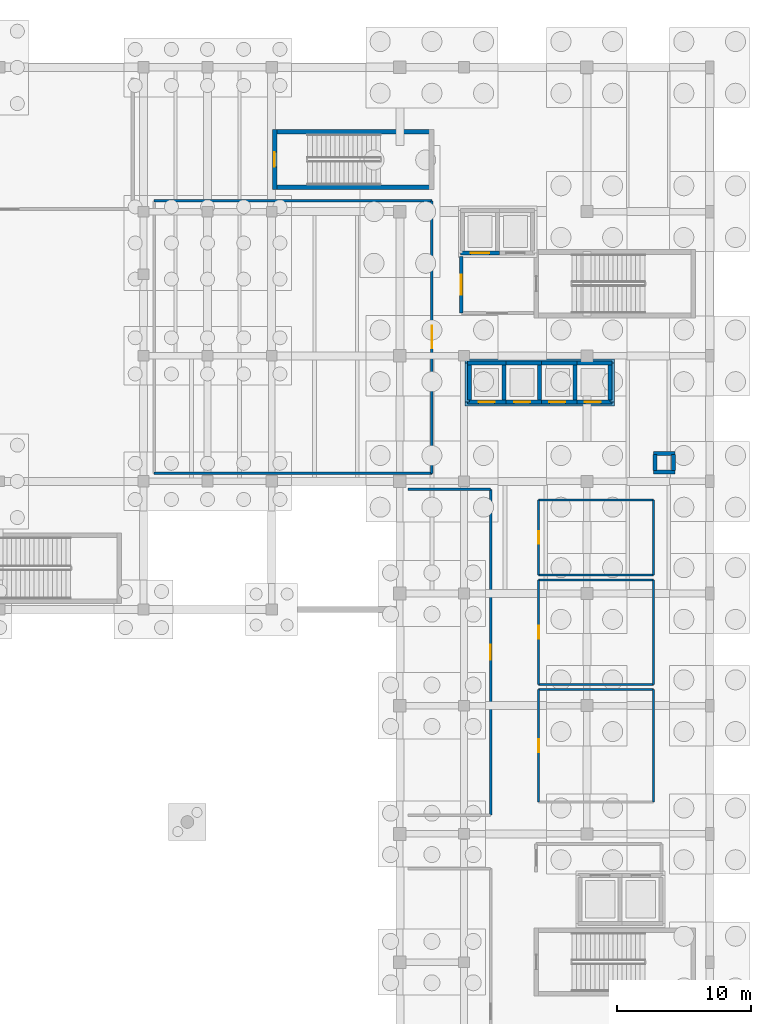
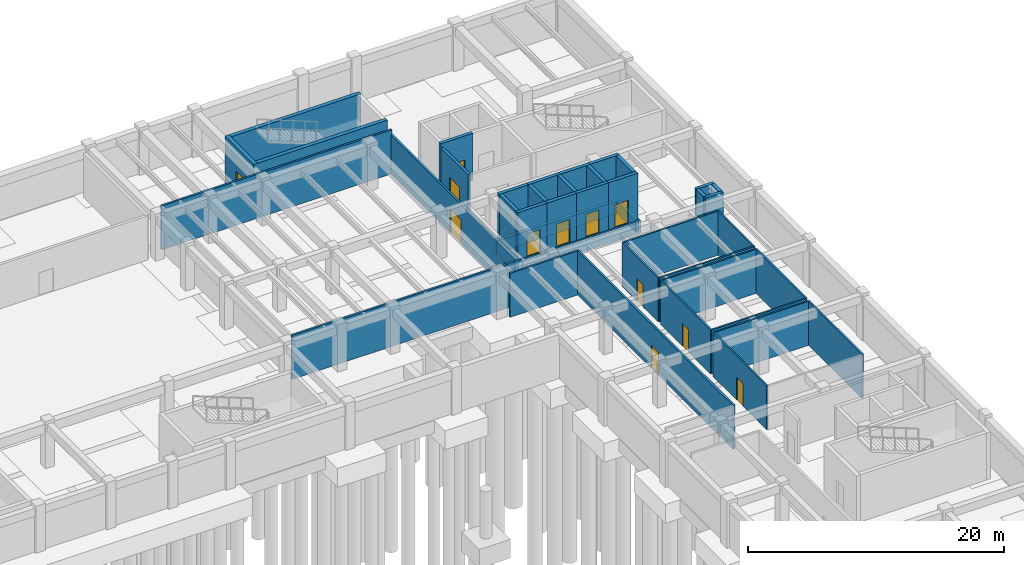
# One storey, part 21 of 33: 42 walls, 12 doors, 12 openings.
"""IFC4 building model written with IfcOpenShell, lengths in metres."""

import ifcopenshell
import ifcopenshell.guid

model = None  # the IFC model being written
_history = None  # IfcOwnerHistory: only IFC2X3 demands one
_inside = {}  # id of a spatial element -> (the spatial element, [elements in it])
_under = {}  # id of a project, library or spatial element -> (it, [spatial elements below it])
_declared = {}  # id of a project -> (the project, [libraries it declares])
_typed = {}  # id of a type object -> (the type object, [elements of that type])
_made_of = {}  # id of a material, layer set ... -> (it, [elements and type objects made of it])


def new_model(schema):
    """Start an empty IFC model of exactly this schema.

    Asked for "IFC4X3", IfcOpenShell would pick the latest addendum, in which some entities
    have other attributes; the version numbers below select the first issue.
    IFC2X3 requires an IfcOwnerHistory on every rooted entity: one is made here for all.
    """
    global model, _history
    if schema == "IFC4X3":
        model = ifcopenshell.file(schema_version=(4, 3, 0, 0))
    else:
        model = ifcopenshell.file(schema=schema)
    _inside.clear()
    _under.clear()
    _declared.clear()
    _typed.clear()
    _made_of.clear()
    _history = None
    if model.schema == "IFC2X3":
        org = make("IfcOrganization", Name="unknown")
        user = make(
            "IfcPersonAndOrganization",
            ThePerson=make("IfcPerson", FamilyName="unknown"),
            TheOrganization=org,
        )
        app = make(
            "IfcApplication",
            ApplicationDeveloper=org,
            Version="unknown",
            ApplicationFullName="unknown",
            ApplicationIdentifier="unknown",
        )
        _history = make(
            "IfcOwnerHistory",
            OwningUser=user,
            OwningApplication=app,
            ChangeAction="ADDED",
            CreationDate=0,
        )
    return model


def make(cls, **values):
    """One entity of the class cls with the attributes given. An attribute that is None is left unset."""
    return model.create_entity(
        cls, **{name: value for name, value in values.items() if value is not None}
    )


def rooted(cls, **values):
    """An entity with a GlobalId (a new one), such as an element, a storey or a relation."""
    return make(cls, GlobalId=ifcopenshell.guid.new(), OwnerHistory=_history, **values)


def si_unit(unit_type, name, prefix=None):
    """IfcSIUnit, for example si_unit("LENGTHUNIT", "METRE", prefix="MILLI")."""
    return make("IfcSIUnit", UnitType=unit_type, Prefix=prefix, Name=name)


def assignment(units):
    """IfcUnitAssignment: the units of a project."""
    return None if units is None else make("IfcUnitAssignment", Units=units)


def point(xyz):
    """IfcCartesianPoint."""
    return None if xyz is None else make("IfcCartesianPoint", Coordinates=xyz)


def direction(xyz):
    """IfcDirection."""
    return None if xyz is None else make("IfcDirection", DirectionRatios=xyz)


def frame(location, z_axis=None, x_axis=None):
    """IfcAxis2Placement3D, a coordinate frame: its origin and axes. An axis left out is left unset."""
    return make(
        "IfcAxis2Placement3D",
        Location=point(location),
        Axis=direction(z_axis),
        RefDirection=direction(x_axis),
    )


def frame_2d(location, x_axis=None):
    """IfcAxis2Placement2D, a coordinate frame in the plane: its origin and x axis."""
    return make(
        "IfcAxis2Placement2D", Location=point(location), RefDirection=direction(x_axis)
    )


def origin():
    """The frame at (0, 0, 0) with its axes left unset."""
    return frame((0.0, 0.0, 0.0))


def place(relative_to, where):
    """IfcLocalPlacement: puts the frame where relative to a parent placement (None: the world)."""
    return make(
        "IfcLocalPlacement", PlacementRelTo=relative_to, RelativePlacement=where
    )


def context(
    kind, dimensions, precision=None, world=None, true_north=None, identifier=None
):
    """IfcGeometricRepresentationContext, for example the 3D "Model" context."""
    return make(
        "IfcGeometricRepresentationContext",
        ContextIdentifier=identifier,
        ContextType=kind,
        CoordinateSpaceDimension=dimensions,
        Precision=precision,
        WorldCoordinateSystem=world,
        TrueNorth=true_north,
    )


def subcontext(parent, identifier, kind, view, scale=None):
    """IfcGeometricRepresentationSubContext, for example "Body" below "Model"."""
    return make(
        "IfcGeometricRepresentationSubContext",
        ContextIdentifier=identifier,
        ContextType=kind,
        ParentContext=parent,
        TargetScale=scale,
        TargetView=view,
    )


def project(units=None, contexts=None):
    """IfcProject with its units and contexts."""
    return rooted(
        "IfcProject",
        Name="project",
        RepresentationContexts=contexts,
        UnitsInContext=assignment(units),
    )


def spatial(cls, under=None, at=None, **own):
    """A site, building, storey or space (cls), placed at a placement, below another one or the project."""
    s = rooted(cls, ObjectPlacement=at, **own)
    if under is not None:
        _under.setdefault(under.id(), (under, []))[1].append(s)
    return s


def profile(cls, at=None, kind="AREA", **sizes):
    """A parametric profile (cls). Its sizes go by their IFC names, for example OverallWidth=200.0."""
    return make(cls, ProfileType=kind, Position=at, **sizes)


def rectangle(**sizes):
    """IfcRectangleProfileDef."""
    return profile("IfcRectangleProfileDef", **sizes)


def extrude(swept, where, along, depth):
    """IfcExtrudedAreaSolid: the profile swept, set in the frame where, extruded along a direction by depth."""
    return make(
        "IfcExtrudedAreaSolid",
        SweptArea=swept,
        Position=where,
        ExtrudedDirection=direction(along),
        Depth=depth,
    )


def shape(context_of_items, identifier, shape_type, items):
    """IfcShapeRepresentation: the items that make up one representation, for example the "Body"."""
    return make(
        "IfcShapeRepresentation",
        ContextOfItems=context_of_items,
        RepresentationIdentifier=identifier,
        RepresentationType=shape_type,
        Items=items,
    )


def material(Name=None, Category=None):
    """IfcMaterial."""
    return make("IfcMaterial", Name=Name, Category=Category)


def layer(
    of_material, thickness, ventilated=None, Name=None, Category=None, Priority=None
):
    """IfcMaterialLayer: one layer of a wall or slab, of a material (None: an air gap)."""
    return make(
        "IfcMaterialLayer",
        Material=of_material,
        LayerThickness=thickness,
        IsVentilated=ventilated,
        Name=Name,
        Category=Category,
        Priority=Priority,
    )


def layer_set(layers, Name=None):
    """IfcMaterialLayerSet."""
    return make("IfcMaterialLayerSet", MaterialLayers=layers, LayerSetName=Name)


def made_of(thing, what):
    """Note that an element or type object is made of a material, layer set ...; save() writes the relation."""
    if what is not None:
        _made_of.setdefault(what.id(), (what, []))[1].append(thing)
    return thing


def type_object(cls, material=None, **own):
    """A type object (cls), such as IfcWallType, which elements share."""
    return made_of(rooted(cls, **own), material)


def element(
    cls,
    number,
    at=None,
    inside=None,
    cuts=None,
    type_object=None,
    material=None,
    context=None,
    identifier="Body",
    shape_type=None,
    held_by="IfcProductDefinitionShape",
    body=None,
    shapes=None,
    **own,
):
    """One element of the class cls, such as IfcWall. Its Tag is "e" and its number.

    at: its placement. inside: the storey or other place that contains it. cuts: it is an
    opening in that element (IfcRelVoidsElement). A single representation is given by context,
    identifier, shape_type and body (its items); several are given by shapes. held_by: the class
    of the entity that holds the representations. save() writes the other relations.
    """
    e = rooted(cls, Tag="e%d" % number, ObjectPlacement=at, **own)
    if body is not None:
        shapes = [shape(context, identifier, shape_type, body)]
    if shapes is not None:
        e.Representation = make(held_by, Representations=shapes)
    if inside is not None:
        _inside.setdefault(inside.id(), (inside, []))[1].append(e)
    if cuts is not None:
        rooted(
            "IfcRelVoidsElement", RelatingBuildingElement=cuts, RelatedOpeningElement=e
        )
    if type_object is not None:
        _typed.setdefault(type_object.id(), (type_object, []))[1].append(e)
    return made_of(e, material)


def fill(opening, filler):
    """IfcRelFillsElement: the door or window that sits in an opening."""
    return rooted(
        "IfcRelFillsElement",
        RelatingOpeningElement=opening,
        RelatedBuildingElement=filler,
    )


def aggregate(whole, parts):
    """IfcRelAggregates: a whole, such as a stair, and the parts it consists of."""
    return rooted("IfcRelAggregates", RelatingObject=whole, RelatedObjects=parts)


def save(model, path):
    """Write the relations noted so far, then the file.

    IfcRelAggregates (storeys below a building ...), IfcRelContainedInSpatialStructure (elements
    in a storey), IfcRelDefinesByType, IfcRelAssociatesMaterial and IfcRelDeclares: one each for
    every whole, place, type object, material and project.
    """
    for whole, parts in _under.values():
        aggregate(whole, parts)
    for where, things in _inside.values():
        rooted(
            "IfcRelContainedInSpatialStructure",
            RelatedElements=things,
            RelatingStructure=where,
        )
    for kind, things in _typed.values():
        rooted("IfcRelDefinesByType", RelatedObjects=things, RelatingType=kind)
    for what, things in _made_of.values():
        rooted("IfcRelAssociatesMaterial", RelatedObjects=things, RelatingMaterial=what)
    for by, libraries in _declared.values():
        rooted("IfcRelDeclares", RelatingContext=by, RelatedDefinitions=libraries)
    model.write(path)


model = new_model("IFC4")

# Units and contexts
model_context = context("Model", 3, precision=1e-05, world=origin(), true_north=direction((0.0, 1.0)))
body_context = subcontext(model_context, "Body", "Model", "MODEL_VIEW")
ifc_project = project(units=[si_unit("LENGTHUNIT", "METRE"), si_unit("AREAUNIT", "SQUARE_METRE"), si_unit("VOLUMEUNIT", "CUBIC_METRE"), si_unit("PLANEANGLEUNIT", "RADIAN"), si_unit("MASSUNIT", "GRAM", prefix="KILO")], contexts=[model_context])

# Site, building, storey
site_placement = place(None, origin())
site = spatial("IfcSite", under=ifc_project, at=site_placement, CompositionType="ELEMENT")
building_placement = place(site_placement, origin())
building = spatial("IfcBuilding", under=site, at=building_placement, Name="Veldera Park Congress Hotel", CompositionType="ELEMENT")
storey_placement = place(building_placement, frame((0.0, 0.0, -4.5)))
storey = spatial("IfcBuildingStorey", under=building, at=storey_placement, Name="B1", CompositionType="ELEMENT", Elevation=-4.5)

# Wall
ifc_material_1 = material(Name="Fire-Rated Gypsum Board on Cold-Formed Steel Studs", Category="steel")
ifc_layer_1 = layer(ifc_material_1, 0.179931640625)
ifc_layer_set_1 = layer_set([ifc_layer_1], Name="Fire-Rated Gypsum Board on Cold-Formed Steel Studs")
wall_type_1 = type_object("IfcWallType", Name="IW-CORR180", PredefinedType="PARTITIONING", material=ifc_layer_set_1)
wall_1_placement = place(storey_placement, frame((42.39990234375, 27.60009765625, 0.0), z_axis=(0.0, 0.0, 1.0), x_axis=(1.0, 0.0, 0.0)))
element("IfcWall", 1, at=wall_1_placement, inside=storey, type_object=wall_type_1, Name="B1 Partition Wall IW3-B1-00018", PredefinedType="PARTITIONING", context=body_context, shape_type="SweptSolid", body=[
    extrude(rectangle(XDim=20.800048828125, YDim=0.179931640625, at=frame_2d((10.39990234375, 0.0))), origin(), (0.0, 0.0, 1.0), 4.199951171875),
])

# Wall, opening, door
wall_2_placement = place(storey_placement, frame((63.199951171875, 27.60009765625, 0.0), z_axis=(0.0, 0.0, 1.0), x_axis=(0.0, 1.0, 0.0)))
wall_2 = element("IfcWall", 2, at=wall_2_placement, inside=storey, type_object=wall_type_1, Name="B1 Partition Wall IW3-B1-00019", PredefinedType="PARTITIONING", context=body_context, shape_type="SweptSolid", body=[
    extrude(rectangle(XDim=20.39990234375, YDim=0.179931640625, at=frame_2d((10.199951171875, 0.0))), origin(), (0.0, 0.0, 1.0), 3.73193359375),
])
opening_1_placement = place(wall_2_placement, frame((9.35009765625, 0.0, 0.0)))
opening_1 = element("IfcOpeningElement", 3, at=opening_1_placement, cuts=wall_2, Name="Opening ID-HALL170", PredefinedType="OPENING", context=body_context, shape_type="SweptSolid", body=[
    extrude(rectangle(XDim=1.699951171875, YDim=2.300048828125, at=frame_2d((0.85009765625, 1.14990234375))), frame((0.0, 0.10205078125, 0.0), z_axis=(0.0, -1.0, 0.0), x_axis=(1.0, 0.0, 0.0)), (0.0, 0.0, 1.0), 0.203857421875),
])
ifc_material_2 = material(Name="Solid Core White Oak Architectural Door", Category="wood")
door_type_1 = type_object("IfcDoorType", Name="ID-HALL170", OperationType="DOUBLE_DOOR_SINGLE_SWING", PredefinedType="DOOR", material=ifc_material_2)
door_1_placement = place(opening_1_placement, origin())
door_1 = element("IfcDoor", 4, at=door_1_placement, inside=storey, type_object=door_type_1, Name="B1 Central Laundry and Uniform Services Door ID3-B1-0008 (DR3-ID3-B1-0008)", OperationType="DOUBLE_DOOR_SINGLE_SWING", OverallHeight=2.300048828125, OverallWidth=1.699951171875, PredefinedType="DOOR", context=body_context, shape_type="SweptSolid", body=[
    extrude(rectangle(XDim=1.699951171875, YDim=2.300048828125, at=frame_2d((0.85009765625, 1.14990234375))), frame((0.0, 0.02490234375, 0.0), z_axis=(0.0, -1.0, 0.0), x_axis=(1.0, 0.0, 0.0)), (0.0, 0.0, 1.0), 0.050048828125),
])
fill(opening_1, door_1)

# Wall
wall_3_placement = place(storey_placement, frame((63.199951171875, 48.0, 0.0), z_axis=(0.0, 0.0, 1.0), x_axis=(-1.0, 0.0, 0.0)))
element("IfcWall", 5, at=wall_3_placement, inside=storey, type_object=wall_type_1, Name="B1 Partition Wall IW3-B1-00020", PredefinedType="PARTITIONING", context=body_context, shape_type="SweptSolid", body=[
    extrude(rectangle(XDim=20.800048828125, YDim=0.179931640625, at=frame_2d((10.39990234375, 0.0))), origin(), (0.0, 0.0, 1.0), 4.199951171875),
])

# Wall, opening, door
wall_4_placement = place(storey_placement, frame((67.60009765625, 2.0, 0.0), z_axis=(0.0, 0.0, 1.0), x_axis=(0.0, 1.0, 0.0)))
wall_4 = element("IfcWall", 6, at=wall_4_placement, inside=storey, type_object=wall_type_1, Name="B1 Partition Wall IW3-B1-00028", PredefinedType="PARTITIONING", context=body_context, shape_type="SweptSolid", body=[
    extrude(rectangle(XDim=24.39990234375, YDim=0.179931640625, at=frame_2d((12.199951171875, 0.0))), origin(), (0.0, 0.0, 1.0), 4.199951171875),
])
opening_2_placement = place(wall_4_placement, frame((11.625, 0.0, 0.0)))
opening_2 = element("IfcOpeningElement", 7, at=opening_2_placement, cuts=wall_4, Name="Opening ID-MEET115", PredefinedType="OPENING", context=body_context, shape_type="SweptSolid", body=[
    extrude(rectangle(XDim=1.14990234375, YDim=2.199951171875, at=frame_2d((0.574951171875, 1.10009765625))), frame((0.0, 0.10205078125, 0.0), z_axis=(0.0, -1.0, 0.0), x_axis=(1.0, 0.0, 0.0)), (0.0, 0.0, 1.0), 0.203857421875),
])
door_type_2 = type_object("IfcDoorType", Name="ID-MEET115", OperationType="NOTDEFINED", PredefinedType="DOOR", material=ifc_material_2)
door_2_placement = place(opening_2_placement, origin())
door_2 = element("IfcDoor", 8, at=door_2_placement, inside=storey, type_object=door_type_2, Name="B1 Secure Bicycle Storage and End-of-Trip Showers Door ID3-B1-0011 (DR3-ID3-B1-0011)", OperationType="SINGLE_SWING_RIGHT", OverallHeight=2.199951171875, OverallWidth=1.14990234375, PredefinedType="DOOR", context=body_context, shape_type="SweptSolid", body=[
    extrude(rectangle(XDim=1.14990234375, YDim=2.199951171875, at=frame_2d((0.574951171875, 1.10009765625))), frame((0.0, 0.02490234375, 0.0), z_axis=(0.0, -1.0, 0.0), x_axis=(1.0, 0.0, 0.0)), (0.0, 0.0, 1.0), 0.050048828125),
])
fill(opening_2, door_2)

# Wall
wall_5_placement = place(storey_placement, frame((67.60009765625, 26.39990234375, 0.0), z_axis=(0.0, 0.0, 1.0), x_axis=(-1.0, 0.0, 0.0)))
element("IfcWall", 9, at=wall_5_placement, inside=storey, type_object=wall_type_1, Name="B1 Partition Wall IW3-B1-00029", PredefinedType="PARTITIONING", context=body_context, shape_type="SweptSolid", body=[
    extrude(rectangle(XDim=6.2001953125, YDim=0.179931640625, at=frame_2d((3.10009765625, 0.0))), origin(), (0.0, 0.0, 1.0), 4.199951171875),
])

# Wall, opening, door
ifc_material_3 = material(Name="Concrete f'c 40 MPa (5,800 psi)", Category="concrete")
ifc_layer_2 = layer(ifc_material_3, 0.239990234375)
ifc_layer_set_2 = layer_set([ifc_layer_2], Name="Concrete f'c 40 MPa (5,800 psi)")
wall_type_2 = type_object("IfcWallType", Name="IW-FIRE240", PredefinedType="STANDARD", material=ifc_layer_set_2)
wall_6_placement = place(storey_placement, frame((65.39990234375, 43.85009765625, 0.0), z_axis=(0.0, 0.0, 1.0), x_axis=(0.0, -1.0, 0.0)))
wall_6 = element("IfcWall", 10, at=wall_6_placement, inside=storey, type_object=wall_type_2, Name="B1 Partition Wall IW3-B1-00002", PredefinedType="STANDARD", context=body_context, shape_type="SweptSolid", body=[
    extrude(rectangle(XDim=4.25, YDim=0.239990234375, at=frame_2d((2.125, 0.0))), origin(), (0.0, 0.0, 1.0), 4.199951171875),
])
opening_3_placement = place(wall_6_placement, frame((1.375, 0.0, 0.0)))
opening_3 = element("IfcOpeningElement", 11, at=opening_3_placement, cuts=wall_6, Name="Opening ID-LOB150", PredefinedType="OPENING", context=body_context, shape_type="SweptSolid", body=[
    extrude(rectangle(XDim=1.5, YDim=2.199951171875, at=frame_2d((0.75, 1.10009765625))), frame((0.0, 0.132080078125, 0.0), z_axis=(0.0, -1.0, 0.0), x_axis=(1.0, 0.0, 0.0)), (0.0, 0.0, 1.0), 0.263916015625),
])
ifc_material_4 = material(Name="Hollow Metal Fire-Rated Steel Door", Category="steel")
door_type_3 = type_object("IfcDoorType", Name="ID-LOB150", OperationType="DOUBLE_DOOR_SINGLE_SWING", PredefinedType="DOOR", material=ifc_material_4)
door_3_placement = place(opening_3_placement, origin())
door_3 = element("IfcDoor", 12, at=door_3_placement, inside=storey, type_object=door_type_3, Name="B1 Firefighting Lobby Door ID3-B1-0002 (DR3-ID3-B1-0002)", OperationType="DOUBLE_DOOR_SINGLE_SWING", OverallHeight=2.199951171875, OverallWidth=1.5, PredefinedType="DOOR", context=body_context, shape_type="SweptSolid", body=[
    extrude(rectangle(XDim=1.5, YDim=2.199951171875, at=frame_2d((0.75, 1.10009765625))), frame((0.0, 0.02490234375, 0.0), z_axis=(0.0, -1.0, 0.0), x_axis=(1.0, 0.0, 0.0)), (0.0, 0.0, 1.0), 0.050048828125),
])
fill(opening_3, door_3)

# Walls
ifc_layer_3 = layer(ifc_material_1, 0.14990234375)
ifc_layer_set_3 = layer_set([ifc_layer_3], Name="Fire-Rated Gypsum Board on Cold-Formed Steel Studs")
wall_type_3 = type_object("IfcWallType", Name="IW-PLMB150", PredefinedType="PLUMBINGWALL", material=ifc_layer_set_3)
wall_7_placement = place(storey_placement, frame((79.800048828125, 3.0, 0.0), z_axis=(0.0, 0.0, 1.0), x_axis=(0.0, 1.0, 0.0)))
element("IfcWall", 13, at=wall_7_placement, inside=storey, type_object=wall_type_3, Name="B1 Partition Wall IW3-B1-00031", PredefinedType="PLUMBINGWALL", context=body_context, shape_type="SweptSolid", body=[
    extrude(rectangle(XDim=8.39990234375, YDim=0.14990234375, at=frame_2d((4.199951171875, 0.0))), origin(), (0.0, 0.0, 1.0), 4.199951171875),
])
wall_8_placement = place(storey_placement, frame((79.800048828125, 11.39990234375, 0.0), z_axis=(0.0, 0.0, 1.0), x_axis=(-1.0, 0.0, 0.0)))
element("IfcWall", 14, at=wall_8_placement, inside=storey, type_object=wall_type_3, Name="B1 Partition Wall IW3-B1-00032", PredefinedType="PLUMBINGWALL", context=body_context, shape_type="SweptSolid", body=[
    extrude(rectangle(XDim=8.60009765625, YDim=0.14990234375, at=frame_2d((4.300048828125, 0.0))), origin(), (0.0, 0.0, 1.0), 4.199951171875),
])

# Wall, opening, door
wall_9_placement = place(storey_placement, frame((71.199951171875, 11.39990234375, 0.0), z_axis=(0.0, 0.0, 1.0), x_axis=(0.0, -1.0, 0.0)))
wall_9 = element("IfcWall", 15, at=wall_9_placement, inside=storey, type_object=wall_type_3, Name="B1 Partition Wall IW3-B1-00033", PredefinedType="PLUMBINGWALL", context=body_context, shape_type="SweptSolid", body=[
    extrude(rectangle(XDim=8.39990234375, YDim=0.14990234375, at=frame_2d((4.199951171875, 0.0))), origin(), (0.0, 0.0, 1.0), 4.199951171875),
])
opening_4_placement = place(wall_9_placement, frame((3.72509765625, 0.0, 0.0)))
opening_4 = element("IfcOpeningElement", 16, at=opening_4_placement, cuts=wall_9, Name="Opening ID-WC095", PredefinedType="OPENING", context=body_context, shape_type="SweptSolid", body=[
    extrude(rectangle(XDim=0.949951171875, YDim=2.14990234375, at=frame_2d((0.47509765625, 1.074951171875))), frame((0.0, 0.0869140625, 0.0), z_axis=(0.0, -1.0, 0.0), x_axis=(1.0, 0.0, 0.0)), (0.0, 0.0, 1.0), 0.173828125),
])
door_type_4 = type_object("IfcDoorType", Name="ID-WC095", OperationType="NOTDEFINED", PredefinedType="DOOR", material=ifc_material_2)
door_4_placement = place(opening_4_placement, origin())
door_4 = element("IfcDoor", 17, at=door_4_placement, inside=storey, type_object=door_type_4, Name="B1 Staff Male WC Door ID3-B1-0012 (DR3-ID3-B1-0012)", OperationType="SINGLE_SWING_LEFT", OverallHeight=2.14990234375, OverallWidth=0.949951171875, PredefinedType="DOOR", context=body_context, shape_type="SweptSolid", body=[
    extrude(rectangle(XDim=0.949951171875, YDim=2.14990234375, at=frame_2d((0.47509765625, 1.074951171875))), frame((0.0, 0.02490234375, 0.0), z_axis=(0.0, -1.0, 0.0), x_axis=(1.0, 0.0, 0.0)), (0.0, 0.0, 1.0), 0.050048828125),
])
fill(opening_4, door_4)

# Walls
wall_10_placement = place(storey_placement, frame((71.199951171875, 11.800048828125, 0.0), z_axis=(0.0, 0.0, 1.0), x_axis=(1.0, 0.0, 0.0)))
element("IfcWall", 18, at=wall_10_placement, inside=storey, type_object=wall_type_3, Name="B1 Partition Wall IW3-B1-00034", PredefinedType="PLUMBINGWALL", context=body_context, shape_type="SweptSolid", body=[
    extrude(rectangle(XDim=8.60009765625, YDim=0.14990234375, at=frame_2d((4.300048828125, 0.0))), origin(), (0.0, 0.0, 1.0), 4.199951171875),
])
wall_11_placement = place(storey_placement, frame((79.800048828125, 11.800048828125, 0.0), z_axis=(0.0, 0.0, 1.0), x_axis=(0.0, 1.0, 0.0)))
element("IfcWall", 19, at=wall_11_placement, inside=storey, type_object=wall_type_3, Name="B1 Partition Wall IW3-B1-00035", PredefinedType="PLUMBINGWALL", context=body_context, shape_type="SweptSolid", body=[
    extrude(rectangle(XDim=7.800048828125, YDim=0.14990234375, at=frame_2d((3.89990234375, 0.0))), origin(), (0.0, 0.0, 1.0), 4.199951171875),
])
wall_12_placement = place(storey_placement, frame((79.800048828125, 19.60009765625, 0.0), z_axis=(0.0, 0.0, 1.0), x_axis=(-1.0, 0.0, 0.0)))
element("IfcWall", 20, at=wall_12_placement, inside=storey, type_object=wall_type_3, Name="B1 Partition Wall IW3-B1-00036", PredefinedType="PLUMBINGWALL", context=body_context, shape_type="SweptSolid", body=[
    extrude(rectangle(XDim=8.60009765625, YDim=0.14990234375, at=frame_2d((4.300048828125, 0.0))), origin(), (0.0, 0.0, 1.0), 4.199951171875),
])

# Wall, opening, door
wall_13_placement = place(storey_placement, frame((71.199951171875, 19.60009765625, 0.0), z_axis=(0.0, 0.0, 1.0), x_axis=(0.0, -1.0, 0.0)))
wall_13 = element("IfcWall", 21, at=wall_13_placement, inside=storey, type_object=wall_type_3, Name="B1 Partition Wall IW3-B1-00037", PredefinedType="PLUMBINGWALL", context=body_context, shape_type="SweptSolid", body=[
    extrude(rectangle(XDim=7.800048828125, YDim=0.14990234375, at=frame_2d((3.89990234375, 0.0))), origin(), (0.0, 0.0, 1.0), 4.199951171875),
])
opening_5_placement = place(wall_13_placement, frame((3.425048828125, 0.0, 0.0)))
opening_5 = element("IfcOpeningElement", 22, at=opening_5_placement, cuts=wall_13, Name="Opening ID-WC095", PredefinedType="OPENING", context=body_context, shape_type="SweptSolid", body=[
    extrude(rectangle(XDim=0.949951171875, YDim=2.14990234375, at=frame_2d((0.47509765625, 1.074951171875))), frame((0.0, 0.0869140625, 0.0), z_axis=(0.0, -1.0, 0.0), x_axis=(1.0, 0.0, 0.0)), (0.0, 0.0, 1.0), 0.173828125),
])
door_5_placement = place(opening_5_placement, origin())
door_5 = element("IfcDoor", 23, at=door_5_placement, inside=storey, type_object=door_type_4, Name="B1 Staff Female WC Door ID3-B1-0013 (DR3-ID3-B1-0013)", OperationType="SINGLE_SWING_RIGHT", OverallHeight=2.14990234375, OverallWidth=0.949951171875, PredefinedType="DOOR", context=body_context, shape_type="SweptSolid", body=[
    extrude(rectangle(XDim=0.949951171875, YDim=2.14990234375, at=frame_2d((0.47509765625, 1.074951171875))), frame((0.0, 0.02490234375, 0.0), z_axis=(0.0, -1.0, 0.0), x_axis=(1.0, 0.0, 0.0)), (0.0, 0.0, 1.0), 0.050048828125),
])
fill(opening_5, door_5)

# Walls
wall_14_placement = place(storey_placement, frame((71.199951171875, 20.0, 0.0), z_axis=(0.0, 0.0, 1.0), x_axis=(1.0, 0.0, 0.0)))
element("IfcWall", 24, at=wall_14_placement, inside=storey, type_object=wall_type_3, Name="B1 Partition Wall IW3-B1-00038", PredefinedType="PLUMBINGWALL", context=body_context, shape_type="SweptSolid", body=[
    extrude(rectangle(XDim=8.60009765625, YDim=0.14990234375, at=frame_2d((4.300048828125, 0.0))), origin(), (0.0, 0.0, 1.0), 4.199951171875),
])
wall_15_placement = place(storey_placement, frame((79.800048828125, 20.0, 0.0), z_axis=(0.0, 0.0, 1.0), x_axis=(0.0, 1.0, 0.0)))
element("IfcWall", 25, at=wall_15_placement, inside=storey, type_object=wall_type_3, Name="B1 Partition Wall IW3-B1-00039", PredefinedType="PLUMBINGWALL", context=body_context, shape_type="SweptSolid", body=[
    extrude(rectangle(XDim=5.60009765625, YDim=0.14990234375, at=frame_2d((2.800048828125, 0.0))), origin(), (0.0, 0.0, 1.0), 4.199951171875),
])
wall_16_placement = place(storey_placement, frame((79.800048828125, 25.60009765625, 0.0), z_axis=(0.0, 0.0, 1.0), x_axis=(-1.0, 0.0, 0.0)))
element("IfcWall", 26, at=wall_16_placement, inside=storey, type_object=wall_type_3, Name="B1 Partition Wall IW3-B1-00040", PredefinedType="PLUMBINGWALL", context=body_context, shape_type="SweptSolid", body=[
    extrude(rectangle(XDim=8.60009765625, YDim=0.14990234375, at=frame_2d((4.300048828125, 0.0))), origin(), (0.0, 0.0, 1.0), 4.199951171875),
])

# Wall, opening, door
wall_17_placement = place(storey_placement, frame((71.199951171875, 25.60009765625, 0.0), z_axis=(0.0, 0.0, 1.0), x_axis=(0.0, -1.0, 0.0)))
wall_17 = element("IfcWall", 27, at=wall_17_placement, inside=storey, type_object=wall_type_3, Name="B1 Partition Wall IW3-B1-00041", PredefinedType="PLUMBINGWALL", context=body_context, shape_type="SweptSolid", body=[
    extrude(rectangle(XDim=5.60009765625, YDim=0.14990234375, at=frame_2d((2.800048828125, 0.0))), origin(), (0.0, 0.0, 1.0), 4.199951171875),
])
opening_6_placement = place(wall_17_placement, frame((2.324951171875, 0.0, 0.0)))
opening_6 = element("IfcOpeningElement", 28, at=opening_6_placement, cuts=wall_17, Name="Opening ID-WC095", PredefinedType="OPENING", context=body_context, shape_type="SweptSolid", body=[
    extrude(rectangle(XDim=0.949951171875, YDim=2.14990234375, at=frame_2d((0.47509765625, 1.074951171875))), frame((0.0, 0.0869140625, 0.0), z_axis=(0.0, -1.0, 0.0), x_axis=(1.0, 0.0, 0.0)), (0.0, 0.0, 1.0), 0.173828125),
])
door_6_placement = place(opening_6_placement, origin())
door_6 = element("IfcDoor", 29, at=door_6_placement, inside=storey, type_object=door_type_4, Name="B1 Staff Accessible WC Door ID3-B1-0014 (DR3-ID3-B1-0014)", OperationType="SINGLE_SWING_LEFT", OverallHeight=2.14990234375, OverallWidth=0.949951171875, PredefinedType="DOOR", context=body_context, shape_type="SweptSolid", body=[
    extrude(rectangle(XDim=0.949951171875, YDim=2.14990234375, at=frame_2d((0.47509765625, 1.074951171875))), frame((0.0, 0.02490234375, 0.0), z_axis=(0.0, -1.0, 0.0), x_axis=(1.0, 0.0, 0.0)), (0.0, 0.0, 1.0), 0.050048828125),
])
fill(opening_6, door_6)

# Walls
ifc_layer_4 = layer(ifc_material_3, 0.35009765625)
ifc_layer_set_4 = layer_set([ifc_layer_4], Name="Concrete f'c 40 MPa (5,800 psi)")
wall_type_4 = type_object("IfcWallType", Name="SW-CORE350", PredefinedType="SHEAR", material=ifc_layer_set_4)
for number, where, z_axis, x_axis, name in (
    (30, (51.25, 49.02490234375, 0.0), (0.0, 0.0, 1.0), (1.0, 0.0, 0.0), "Stair ST3 Core Wall B1-S"),
    (31, (63.35009765625, 53.175048828125, 0.0), (0.0, 0.0, 1.0), (-1.0, 0.0, 0.0), "Stair ST3 Core Wall B1-N"),
):
    element("IfcWall", number, at=place(storey_placement, frame(where, z_axis=z_axis, x_axis=x_axis)), inside=storey, type_object=wall_type_4, Name=name, PredefinedType="SHEAR", context=body_context, shape_type="SweptSolid", body=[
        extrude(rectangle(XDim=12.10009765625, YDim=0.35009765625, at=frame_2d((6.050048828125, 0.0))), origin(), (0.0, 0.0, 1.0), 4.5),
    ])

# Wall, opening, door
wall_18_placement = place(storey_placement, frame((51.425048828125, 53.35009765625, 0.0), z_axis=(0.0, 0.0, 1.0), x_axis=(0.0, -1.0, 0.0)))
wall_18 = element("IfcWall", 32, at=wall_18_placement, inside=storey, type_object=wall_type_4, Name="Stair ST3 Core Wall B1-W", PredefinedType="SHEAR", context=body_context, shape_type="SweptSolid", body=[
    extrude(rectangle(XDim=4.5, YDim=0.35009765625, at=frame_2d((2.25, 0.0))), origin(), (0.0, 0.0, 1.0), 4.5),
])
opening_7_placement = place(wall_18_placement, frame((1.699951171875, 0.0, 0.0)))
opening_7 = element("IfcOpeningElement", 33, at=opening_7_placement, cuts=wall_18, Name="Opening ID-STAIR110", PredefinedType="OPENING", context=body_context, shape_type="SweptSolid", body=[
    extrude(rectangle(XDim=1.10009765625, YDim=2.199951171875, at=frame_2d((0.550048828125, 1.10009765625))), frame((0.0, 0.18701171875, 0.0), z_axis=(0.0, -1.0, 0.0), x_axis=(1.0, 0.0, 0.0)), (0.0, 0.0, 1.0), 0.3740234375),
])
door_type_5 = type_object("IfcDoorType", Name="ID-STAIR110", OperationType="NOTDEFINED", PredefinedType="DOOR", material=ifc_material_4)
door_7_placement = place(opening_7_placement, origin())
door_7 = element("IfcDoor", 34, at=door_7_placement, inside=storey, type_object=door_type_5, Name="B1 Stair ST3 Fire Door (DR3-SD-ST3-B1)", OperationType="SINGLE_SWING_LEFT", OverallHeight=2.199951171875, OverallWidth=1.10009765625, PredefinedType="DOOR", context=body_context, shape_type="SweptSolid", body=[
    extrude(rectangle(XDim=1.10009765625, YDim=2.199951171875, at=frame_2d((0.550048828125, 1.10009765625))), frame((0.0, 0.02490234375, 0.0), z_axis=(0.0, -1.0, 0.0), x_axis=(1.0, 0.0, 0.0)), (0.0, 0.0, 1.0), 0.050048828125),
])
fill(opening_7, door_7)

# Walls
ifc_layer_5 = layer(ifc_material_3, 0.320068359375)
ifc_layer_set_5 = layer_set([ifc_layer_5], Name="Concrete f'c 40 MPa (5,800 psi)")
wall_type_5 = type_object("IfcWallType", Name="SW-PIT320", PredefinedType="SHEAR", material=ifc_layer_set_5)
for number, where, z_axis, x_axis, name in (
    (35, (65.679931640625, 32.7900390625, -1.179931640625), (0.0, 0.0, 1.0), (1.0, 0.0, 0.0), "Elevator Pit Wall PIT-PL-S"),
    (36, (76.8701171875, 36.010009765625, -1.179931640625), (0.0, 0.0, 1.0), (-1.0, 0.0, 0.0), "Elevator Pit Wall PIT-PL-N"),
):
    element("IfcWall", number, at=place(storey_placement, frame(where, z_axis=z_axis, x_axis=x_axis)), inside=storey, type_object=wall_type_5, Name=name, PredefinedType="SHEAR", context=body_context, shape_type="SweptSolid", body=[
        extrude(rectangle(XDim=11.190185546875, YDim=0.320068359375, at=frame_2d((5.59521484375, 0.0))), origin(), (0.0, 0.0, 1.0), 1.179931640625),
    ])
for number, where, z_axis, x_axis, name in (
    (37, (76.7099609375, 32.949951171875, -1.179931640625), (0.0, 0.0, 1.0), (0.0, 1.0, 0.0), "Elevator Pit Wall PIT-PL-E"),
    (38, (65.840087890625, 35.85009765625, -1.179931640625), (0.0, 0.0, 1.0), (0.0, -1.0, 0.0), "Elevator Pit Wall PIT-PL-W"),
):
    element("IfcWall", number, at=place(storey_placement, frame(where, z_axis=z_axis, x_axis=x_axis)), inside=storey, type_object=wall_type_5, Name=name, PredefinedType="SHEAR", context=body_context, shape_type="SweptSolid", body=[
        extrude(rectangle(XDim=2.900146484375, YDim=0.320068359375, at=frame_2d((1.4501953125, 0.0))), origin(), (0.0, 0.0, 1.0), 1.179931640625),
    ])
ifc_layer_6 = layer(ifc_material_3, 0.300048828125)
ifc_layer_set_6 = layer_set([ifc_layer_6], Name="Concrete f'c 40 MPa (5,800 psi)")
wall_type_6 = type_object("IfcWallType", Name="SW-SHFT300", PredefinedType="SHEAR", material=ifc_layer_set_6)
for number, where, z_axis, x_axis, name in (
    (39, (79.800048828125, 27.699951171875, 0.0), (0.0, 0.0, 1.0), (1.0, 0.0, 0.0), "MEP Riser Shaft Wall B1-S"),
    (40, (81.39990234375, 29.10009765625, 0.0), (0.0, 0.0, 1.0), (-1.0, 0.0, 0.0), "MEP Riser Shaft Wall B1-N"),
):
    element("IfcWall", number, at=place(storey_placement, frame(where, z_axis=z_axis, x_axis=x_axis)), inside=storey, type_object=wall_type_6, Name=name, PredefinedType="SHEAR", context=body_context, shape_type="SweptSolid", body=[
        extrude(rectangle(XDim=1.599853515625, YDim=0.300048828125, at=frame_2d((0.7998046875, 0.0))), origin(), (0.0, 0.0, 1.0), 4.199951171875),
    ])
for number, where, z_axis, x_axis, name in (
    (41, (79.89990234375, 29.0, 0.0), (0.0, 0.0, 1.0), (0.0, -1.0, 0.0), "MEP Riser Shaft Wall B1-W"),
    (42, (81.300048828125, 27.800048828125, 0.0), (0.0, 0.0, 1.0), (0.0, 1.0, 0.0), "MEP Riser Shaft Wall B1-E"),
):
    element("IfcWall", number, at=place(storey_placement, frame(where, z_axis=z_axis, x_axis=x_axis)), inside=storey, type_object=wall_type_6, Name=name, PredefinedType="SHEAR", context=body_context, shape_type="SweptSolid", body=[
        extrude(rectangle(XDim=1.199951171875, YDim=0.300048828125, at=frame_2d((0.60009765625, 0.0))), origin(), (0.0, 0.0, 1.0), 4.199951171875),
    ])

# Wall, opening, door
wall_19_placement = place(storey_placement, frame((65.35009765625, 44.10009765625, 0.0), z_axis=(0.0, 0.0, 1.0), x_axis=(1.0, 0.0, 0.0)))
wall_19 = element("IfcWall", 43, at=wall_19_placement, inside=storey, type_object=wall_type_6, Name="Lift FL-01 Shaft Wall B1-S", PredefinedType="SHEAR", context=body_context, shape_type="SweptSolid", body=[
    extrude(rectangle(XDim=2.89990234375, YDim=0.300048828125, at=frame_2d((1.449951171875, 0.0))), origin(), (0.0, 0.0, 1.0), 4.5),
])
opening_8_placement = place(wall_19_placement, frame((0.75, 0.0, 0.0)))
opening_8 = element("IfcOpeningElement", 44, at=opening_8_placement, cuts=wall_19, Name="Opening LD-140", PredefinedType="OPENING", context=body_context, shape_type="SweptSolid", body=[
    extrude(rectangle(XDim=1.39990234375, YDim=2.199951171875, at=frame_2d((0.699951171875, 1.10009765625))), frame((0.0, 0.162109375, 0.0), z_axis=(0.0, -1.0, 0.0), x_axis=(1.0, 0.0, 0.0)), (0.0, 0.0, 1.0), 0.323974609375),
])
door_type_6 = type_object("IfcDoorType", Name="LD-140", OperationType="DOUBLE_DOOR_SLIDING", PredefinedType="DOOR", material=ifc_material_4)
door_8_placement = place(opening_8_placement, origin())
door_8 = element("IfcDoor", 45, at=door_8_placement, inside=storey, type_object=door_type_6, Name="B1 Lift FL-01 Landing Door (DR3-LD-FL-01-B1)", OperationType="DOUBLE_DOOR_SLIDING", OverallHeight=2.199951171875, OverallWidth=1.39990234375, PredefinedType="DOOR", context=body_context, shape_type="SweptSolid", body=[
    extrude(rectangle(XDim=1.39990234375, YDim=2.199951171875, at=frame_2d((0.699951171875, 1.10009765625))), frame((0.0, 0.02490234375, 0.0), z_axis=(0.0, -1.0, 0.0), x_axis=(1.0, 0.0, 0.0)), (0.0, 0.0, 1.0), 0.050048828125),
])
fill(opening_8, door_8)

wall_20_placement = place(storey_placement, frame((65.85009765625, 32.949951171875, 0.0), z_axis=(0.0, 0.0, 1.0), x_axis=(1.0, 0.0, 0.0)))
wall_20 = element("IfcWall", 46, at=wall_20_placement, inside=storey, type_object=wall_type_6, Name="Lift PL-01 Shaft Wall B1-S", PredefinedType="SHEAR", context=body_context, shape_type="SweptSolid", body=[
    extrude(rectangle(XDim=2.89990234375, YDim=0.300048828125, at=frame_2d((1.449951171875, 0.0))), origin(), (0.0, 0.0, 1.0), 4.5),
])
opening_9_placement = place(wall_20_placement, frame((0.85009765625, 0.0, 0.0)))
opening_9 = element("IfcOpeningElement", 47, at=opening_9_placement, cuts=wall_20, Name="Opening LD-120", PredefinedType="OPENING", context=body_context, shape_type="SweptSolid", body=[
    extrude(rectangle(XDim=1.199951171875, YDim=2.199951171875, at=frame_2d((0.60009765625, 1.10009765625))), frame((0.0, 0.162109375, 0.0), z_axis=(0.0, -1.0, 0.0), x_axis=(1.0, 0.0, 0.0)), (0.0, 0.0, 1.0), 0.323974609375),
])
door_type_7 = type_object("IfcDoorType", Name="LD-120", OperationType="DOUBLE_DOOR_SLIDING", PredefinedType="DOOR", material=ifc_material_4)
door_9_placement = place(opening_9_placement, origin())
door_9 = element("IfcDoor", 48, at=door_9_placement, inside=storey, type_object=door_type_7, Name="B1 Lift PL-01 Landing Door (DR3-LD-PL-01-B1)", OperationType="DOUBLE_DOOR_SLIDING", OverallHeight=2.199951171875, OverallWidth=1.199951171875, PredefinedType="DOOR", context=body_context, shape_type="SweptSolid", body=[
    extrude(rectangle(XDim=1.199951171875, YDim=2.199951171875, at=frame_2d((0.60009765625, 1.10009765625))), frame((0.0, 0.02490234375, 0.0), z_axis=(0.0, -1.0, 0.0), x_axis=(1.0, 0.0, 0.0)), (0.0, 0.0, 1.0), 0.050048828125),
])
fill(opening_9, door_9)

# Walls
wall_21_placement = place(storey_placement, frame((68.75, 35.85009765625, 0.0), z_axis=(0.0, 0.0, 1.0), x_axis=(-1.0, 0.0, 0.0)))
element("IfcWall", 49, at=wall_21_placement, inside=storey, type_object=wall_type_6, Name="Lift PL-01 Shaft Wall B1-N", PredefinedType="SHEAR", context=body_context, shape_type="SweptSolid", body=[
    extrude(rectangle(XDim=2.89990234375, YDim=0.300048828125, at=frame_2d((1.449951171875, 0.0))), origin(), (0.0, 0.0, 1.0), 4.5),
])
for number, where, z_axis, x_axis, name in (
    (50, (68.60009765625, 33.10009765625, 0.0), (0.0, 0.0, 1.0), (0.0, 1.0, 0.0), "Lift PL-01 Shaft Wall B1-E"),
    (51, (66.0, 35.699951171875, 0.0), (0.0, 0.0, 1.0), (0.0, -1.0, 0.0), "Lift PL-01 Shaft Wall B1-W"),
):
    element("IfcWall", number, at=place(storey_placement, frame(where, z_axis=z_axis, x_axis=x_axis)), inside=storey, type_object=wall_type_6, Name=name, PredefinedType="SHEAR", context=body_context, shape_type="SweptSolid", body=[
        extrude(rectangle(XDim=2.599853515625, YDim=0.300048828125, at=frame_2d((1.2998046875, 0.0))), origin(), (0.0, 0.0, 1.0), 4.5),
    ])

# Wall, opening, door
wall_22_placement = place(storey_placement, frame((68.5, 32.949951171875, 0.0), z_axis=(0.0, 0.0, 1.0), x_axis=(1.0, 0.0, 0.0)))
wall_22 = element("IfcWall", 52, at=wall_22_placement, inside=storey, type_object=wall_type_6, Name="Lift PL-02 Shaft Wall B1-S", PredefinedType="SHEAR", context=body_context, shape_type="SweptSolid", body=[
    extrude(rectangle(XDim=2.89990234375, YDim=0.300048828125, at=frame_2d((1.449951171875, 0.0))), origin(), (0.0, 0.0, 1.0), 4.5),
])
opening_10_placement = place(wall_22_placement, frame((0.85009765625, 0.0, 0.0)))
opening_10 = element("IfcOpeningElement", 53, at=opening_10_placement, cuts=wall_22, Name="Opening LD-120", PredefinedType="OPENING", context=body_context, shape_type="SweptSolid", body=[
    extrude(rectangle(XDim=1.199951171875, YDim=2.199951171875, at=frame_2d((0.60009765625, 1.10009765625))), frame((0.0, 0.162109375, 0.0), z_axis=(0.0, -1.0, 0.0), x_axis=(1.0, 0.0, 0.0)), (0.0, 0.0, 1.0), 0.323974609375),
])
door_10_placement = place(opening_10_placement, origin())
door_10 = element("IfcDoor", 54, at=door_10_placement, inside=storey, type_object=door_type_7, Name="B1 Lift PL-02 Landing Door (DR3-LD-PL-02-B1)", OperationType="DOUBLE_DOOR_SLIDING", OverallHeight=2.199951171875, OverallWidth=1.199951171875, PredefinedType="DOOR", context=body_context, shape_type="SweptSolid", body=[
    extrude(rectangle(XDim=1.199951171875, YDim=2.199951171875, at=frame_2d((0.60009765625, 1.10009765625))), frame((0.0, 0.02490234375, 0.0), z_axis=(0.0, -1.0, 0.0), x_axis=(1.0, 0.0, 0.0)), (0.0, 0.0, 1.0), 0.050048828125),
])
fill(opening_10, door_10)

# Walls
wall_23_placement = place(storey_placement, frame((71.39990234375, 35.85009765625, 0.0), z_axis=(0.0, 0.0, 1.0), x_axis=(-1.0, 0.0, 0.0)))
element("IfcWall", 55, at=wall_23_placement, inside=storey, type_object=wall_type_6, Name="Lift PL-02 Shaft Wall B1-N", PredefinedType="SHEAR", context=body_context, shape_type="SweptSolid", body=[
    extrude(rectangle(XDim=2.89990234375, YDim=0.300048828125, at=frame_2d((1.449951171875, 0.0))), origin(), (0.0, 0.0, 1.0), 4.5),
])
wall_24_placement = place(storey_placement, frame((71.25, 33.10009765625, 0.0), z_axis=(0.0, 0.0, 1.0), x_axis=(0.0, 1.0, 0.0)))
element("IfcWall", 56, at=wall_24_placement, inside=storey, type_object=wall_type_6, Name="Lift PL-02 Shaft Wall B1-E", PredefinedType="SHEAR", context=body_context, shape_type="SweptSolid", body=[
    extrude(rectangle(XDim=2.599853515625, YDim=0.300048828125, at=frame_2d((1.2998046875, 0.0))), origin(), (0.0, 0.0, 1.0), 4.5),
])

# Wall, opening, door
wall_25_placement = place(storey_placement, frame((71.14990234375, 32.949951171875, 0.0), z_axis=(0.0, 0.0, 1.0), x_axis=(1.0, 0.0, 0.0)))
wall_25 = element("IfcWall", 57, at=wall_25_placement, inside=storey, type_object=wall_type_6, Name="Lift PL-03 Shaft Wall B1-S", PredefinedType="SHEAR", context=body_context, shape_type="SweptSolid", body=[
    extrude(rectangle(XDim=2.900146484375, YDim=0.300048828125, at=frame_2d((1.4501953125, 0.0))), origin(), (0.0, 0.0, 1.0), 4.5),
])
opening_11_placement = place(wall_25_placement, frame((0.85009765625, 0.0, 0.0)))
opening_11 = element("IfcOpeningElement", 58, at=opening_11_placement, cuts=wall_25, Name="Opening LD-120", PredefinedType="OPENING", context=body_context, shape_type="SweptSolid", body=[
    extrude(rectangle(XDim=1.199951171875, YDim=2.199951171875, at=frame_2d((0.60009765625, 1.10009765625))), frame((0.0, 0.162109375, 0.0), z_axis=(0.0, -1.0, 0.0), x_axis=(1.0, 0.0, 0.0)), (0.0, 0.0, 1.0), 0.323974609375),
])
door_11_placement = place(opening_11_placement, origin())
door_11 = element("IfcDoor", 59, at=door_11_placement, inside=storey, type_object=door_type_7, Name="B1 Lift PL-03 Landing Door (DR3-LD-PL-03-B1)", OperationType="DOUBLE_DOOR_SLIDING", OverallHeight=2.199951171875, OverallWidth=1.199951171875, PredefinedType="DOOR", context=body_context, shape_type="SweptSolid", body=[
    extrude(rectangle(XDim=1.199951171875, YDim=2.199951171875, at=frame_2d((0.60009765625, 1.10009765625))), frame((0.0, 0.02490234375, 0.0), z_axis=(0.0, -1.0, 0.0), x_axis=(1.0, 0.0, 0.0)), (0.0, 0.0, 1.0), 0.050048828125),
])
fill(opening_11, door_11)

# Walls
wall_26_placement = place(storey_placement, frame((74.050048828125, 35.85009765625, 0.0), z_axis=(0.0, 0.0, 1.0), x_axis=(-1.0, 0.0, 0.0)))
element("IfcWall", 60, at=wall_26_placement, inside=storey, type_object=wall_type_6, Name="Lift PL-03 Shaft Wall B1-N", PredefinedType="SHEAR", context=body_context, shape_type="SweptSolid", body=[
    extrude(rectangle(XDim=2.900146484375, YDim=0.300048828125, at=frame_2d((1.4501953125, 0.0))), origin(), (0.0, 0.0, 1.0), 4.5),
])
wall_27_placement = place(storey_placement, frame((73.89990234375, 33.10009765625, 0.0), z_axis=(0.0, 0.0, 1.0), x_axis=(0.0, 1.0, 0.0)))
element("IfcWall", 61, at=wall_27_placement, inside=storey, type_object=wall_type_6, Name="Lift PL-03 Shaft Wall B1-E", PredefinedType="SHEAR", context=body_context, shape_type="SweptSolid", body=[
    extrude(rectangle(XDim=2.599853515625, YDim=0.300048828125, at=frame_2d((1.2998046875, 0.0))), origin(), (0.0, 0.0, 1.0), 4.5),
])

# Wall, opening, door
wall_28_placement = place(storey_placement, frame((73.800048828125, 32.949951171875, 0.0), z_axis=(0.0, 0.0, 1.0), x_axis=(1.0, 0.0, 0.0)))
wall_28 = element("IfcWall", 62, at=wall_28_placement, inside=storey, type_object=wall_type_6, Name="Lift PL-04 Shaft Wall B1-S", PredefinedType="SHEAR", context=body_context, shape_type="SweptSolid", body=[
    extrude(rectangle(XDim=2.89990234375, YDim=0.300048828125, at=frame_2d((1.449951171875, 0.0))), origin(), (0.0, 0.0, 1.0), 4.5),
])
opening_12_placement = place(wall_28_placement, frame((0.85009765625, 0.0, 0.0)))
opening_12 = element("IfcOpeningElement", 63, at=opening_12_placement, cuts=wall_28, Name="Opening LD-120", PredefinedType="OPENING", context=body_context, shape_type="SweptSolid", body=[
    extrude(rectangle(XDim=1.199951171875, YDim=2.199951171875, at=frame_2d((0.60009765625, 1.10009765625))), frame((0.0, 0.162109375, 0.0), z_axis=(0.0, -1.0, 0.0), x_axis=(1.0, 0.0, 0.0)), (0.0, 0.0, 1.0), 0.323974609375),
])
door_12_placement = place(opening_12_placement, origin())
door_12 = element("IfcDoor", 64, at=door_12_placement, inside=storey, type_object=door_type_7, Name="B1 Lift PL-04 Landing Door (DR3-LD-PL-04-B1)", OperationType="DOUBLE_DOOR_SLIDING", OverallHeight=2.199951171875, OverallWidth=1.199951171875, PredefinedType="DOOR", context=body_context, shape_type="SweptSolid", body=[
    extrude(rectangle(XDim=1.199951171875, YDim=2.199951171875, at=frame_2d((0.60009765625, 1.10009765625))), frame((0.0, 0.02490234375, 0.0), z_axis=(0.0, -1.0, 0.0), x_axis=(1.0, 0.0, 0.0)), (0.0, 0.0, 1.0), 0.050048828125),
])
fill(opening_12, door_12)

# Walls
wall_29_placement = place(storey_placement, frame((76.699951171875, 35.85009765625, 0.0), z_axis=(0.0, 0.0, 1.0), x_axis=(-1.0, 0.0, 0.0)))
element("IfcWall", 65, at=wall_29_placement, inside=storey, type_object=wall_type_6, Name="Lift PL-04 Shaft Wall B1-N", PredefinedType="SHEAR", context=body_context, shape_type="SweptSolid", body=[
    extrude(rectangle(XDim=2.89990234375, YDim=0.300048828125, at=frame_2d((1.449951171875, 0.0))), origin(), (0.0, 0.0, 1.0), 4.5),
])
wall_30_placement = place(storey_placement, frame((76.550048828125, 33.10009765625, 0.0), z_axis=(0.0, 0.0, 1.0), x_axis=(0.0, 1.0, 0.0)))
element("IfcWall", 66, at=wall_30_placement, inside=storey, type_object=wall_type_6, Name="Lift PL-04 Shaft Wall B1-E", PredefinedType="SHEAR", context=body_context, shape_type="SweptSolid", body=[
    extrude(rectangle(XDim=2.599853515625, YDim=0.300048828125, at=frame_2d((1.2998046875, 0.0))), origin(), (0.0, 0.0, 1.0), 4.5),
])

save(model, "model.ifc")
